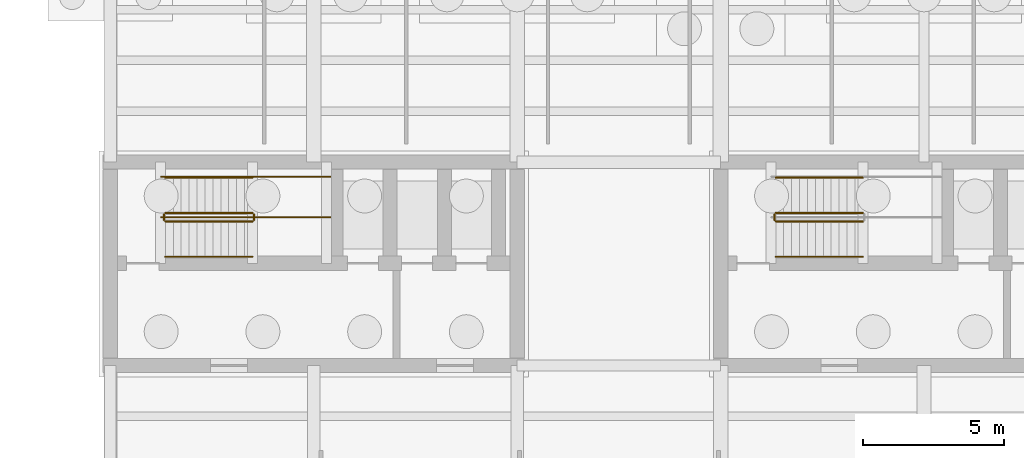
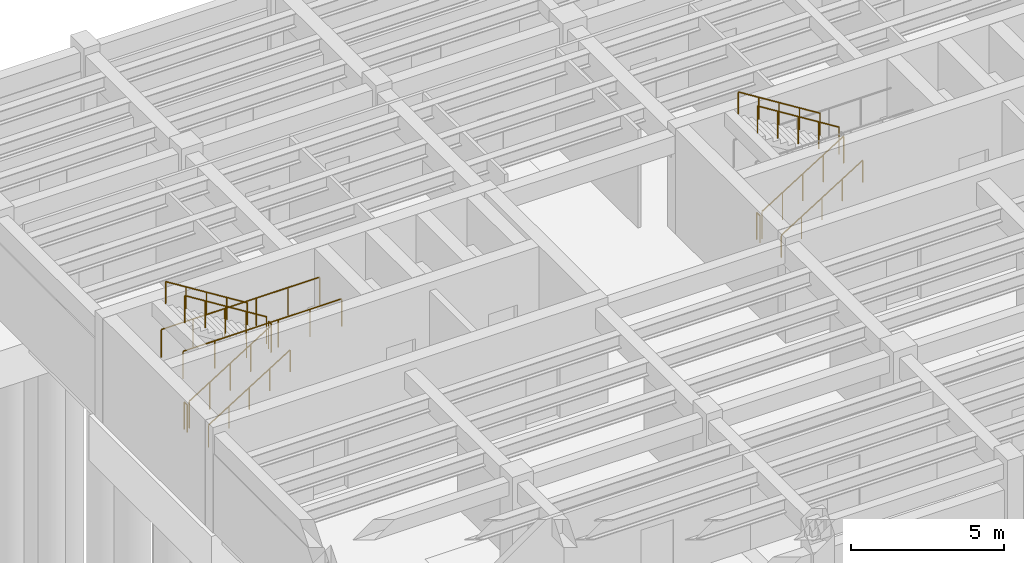
# One storey, part 19 of 22: 13 railings.
"""IFC4 building model written with IfcOpenShell, lengths in metres."""

from ifc_helpers import new_model, si_unit, direction, frame, origin, origin_2d, place, context, subcontext, project, spatial, circle, extrude, material, type_object, element, save


model = new_model("IFC4")

# Units and contexts
model_context = context("Model", 3, precision=1e-05, world=origin(), true_north=direction((0.0, 1.0)))
body_context = subcontext(model_context, "Body", "Model", "MODEL_VIEW")
ifc_project = project(units=[si_unit("LENGTHUNIT", "METRE"), si_unit("AREAUNIT", "SQUARE_METRE"), si_unit("VOLUMEUNIT", "CUBIC_METRE"), si_unit("PLANEANGLEUNIT", "RADIAN"), si_unit("MASSUNIT", "GRAM", prefix="KILO")], contexts=[model_context])

# Site, building, storey
site_placement = place(None, origin())
site = spatial("IfcSite", under=ifc_project, at=site_placement, CompositionType="ELEMENT")
building_placement = place(site_placement, origin())
building = spatial("IfcBuilding", under=site, at=building_placement, Name="Mithqara Police Headquarters", CompositionType="ELEMENT")
storey_placement = place(building_placement, frame((0.0, 0.0, -8.39990234375)))
storey = spatial("IfcBuildingStorey", under=building, at=storey_placement, Name="B2", CompositionType="ELEMENT", Elevation=-8.39990234375)

# Railings
ifc_material = material(Name="Steel S355JR", Category="steel")
railing_type_1 = type_object("IfcRailingType", Name="HANDRAIL 920", PredefinedType="HANDRAIL", material=ifc_material)
railing_1_placement = place(storey_placement, frame((110.550048828125, 96.85009765625, 0.1748046875)))
element("IfcRailing", 1, at=railing_1_placement, inside=storey, type_object=railing_type_1, Name="B2 ST-01 stair handrail 1", PredefinedType="HANDRAIL", context=body_context, shape_type="SweptSolid", body=[
    extrude(circle(Radius=0.02392578125, at=origin_2d()), frame((0.0, 0.0, 0.8759765625), z_axis=(0.847979421464, 0.0, 0.530029150871), x_axis=(0.0, 1.0, 0.0)), (0.0, 0.0, 1.0), 3.632080078125),
    extrude(circle(Radius=0.02099609375, at=origin_2d()), origin(), (0.0, 0.0, 1.0), 0.851806640625),
    extrude(circle(Radius=0.02099609375, at=origin_2d()), frame((0.77001953125, 0.0, 0.481201171875)), (0.0, 0.0, 1.0), 0.851806640625),
    extrude(circle(Radius=0.02099609375, at=origin_2d()), frame((1.5400390625, 0.0, 0.96240234375)), (0.0, 0.0, 1.0), 0.851806640625),
    extrude(circle(Radius=0.02099609375, at=origin_2d()), frame((2.309814453125, 0.0, 1.44384765625)), (0.0, 0.0, 1.0), 0.851806640625),
    extrude(circle(Radius=0.02099609375, at=origin_2d()), frame((3.079833984375, 0.0, 1.925048828125)), (0.0, 0.0, 1.0), 0.851806640625),
])
railing_2_placement = place(storey_placement, frame((113.6298828125, 99.64990234375, 2.27490234375)))
element("IfcRailing", 2, at=railing_2_placement, inside=storey, type_object=railing_type_1, Name="B2 ST-01 stair handrail 2", PredefinedType="HANDRAIL", context=body_context, shape_type="SweptSolid", body=[
    extrude(circle(Radius=0.02392578125, at=origin_2d()), frame((0.0, 0.0, 0.8759765625), z_axis=(-0.847979421464, 0.0, 0.530029150871), x_axis=(0.0, -1.0, 0.0)), (0.0, 0.0, 1.0), 3.632080078125),
    extrude(circle(Radius=0.02099609375, at=origin_2d()), origin(), (0.0, 0.0, 1.0), 0.851806640625),
    extrude(circle(Radius=0.02099609375, at=origin_2d()), frame((-0.77001953125, 0.0, 0.481201171875)), (0.0, 0.0, 1.0), 0.851806640625),
    extrude(circle(Radius=0.02099609375, at=origin_2d()), frame((-1.5400390625, 0.0, 0.96240234375)), (0.0, 0.0, 1.0), 0.851806640625),
    extrude(circle(Radius=0.02099609375, at=origin_2d()), frame((-2.309814453125, 0.0, 1.44384765625)), (0.0, 0.0, 1.0), 0.851806640625),
    extrude(circle(Radius=0.02099609375, at=origin_2d()), frame((-3.079833984375, 0.0, 1.925048828125)), (0.0, 0.0, 1.0), 0.851806640625),
])
railing_3_placement = place(storey_placement, frame((132.14990234375, 96.85009765625, 0.1748046875)))
element("IfcRailing", 3, at=railing_3_placement, inside=storey, type_object=railing_type_1, Name="B2 ST-02 stair handrail 1", PredefinedType="HANDRAIL", context=body_context, shape_type="SweptSolid", body=[
    extrude(circle(Radius=0.02392578125, at=origin_2d()), frame((0.0, 0.0, 0.8759765625), z_axis=(0.847998304005, 0.0, 0.529998940003), x_axis=(0.0, 1.0, 0.0)), (0.0, 0.0, 1.0), 3.632080078125),
    extrude(circle(Radius=0.02099609375, at=origin_2d()), origin(), (0.0, 0.0, 1.0), 0.851806640625),
    extrude(circle(Radius=0.02099609375, at=origin_2d()), frame((0.77001953125, 0.0, 0.481201171875)), (0.0, 0.0, 1.0), 0.851806640625),
    extrude(circle(Radius=0.02099609375, at=origin_2d()), frame((1.5400390625, 0.0, 0.96240234375)), (0.0, 0.0, 1.0), 0.851806640625),
    extrude(circle(Radius=0.02099609375, at=origin_2d()), frame((2.31005859375, 0.0, 1.44384765625)), (0.0, 0.0, 1.0), 0.851806640625),
    extrude(circle(Radius=0.02099609375, at=origin_2d()), frame((3.080078125, 0.0, 1.925048828125)), (0.0, 0.0, 1.0), 0.851806640625),
])
railing_4_placement = place(storey_placement, frame((135.22998046875, 99.64990234375, 2.27490234375)))
element("IfcRailing", 4, at=railing_4_placement, inside=storey, type_object=railing_type_1, Name="B2 ST-02 stair handrail 2", PredefinedType="HANDRAIL", context=body_context, shape_type="SweptSolid", body=[
    extrude(circle(Radius=0.02392578125, at=origin_2d()), frame((0.0, 0.0, 0.8759765625), z_axis=(-0.847998304005, 0.0, 0.529998940003), x_axis=(0.0, -1.0, 0.0)), (0.0, 0.0, 1.0), 3.632080078125),
    extrude(circle(Radius=0.02099609375, at=origin_2d()), origin(), (0.0, 0.0, 1.0), 0.851806640625),
    extrude(circle(Radius=0.02099609375, at=origin_2d()), frame((-0.77001953125, 0.0, 0.481201171875)), (0.0, 0.0, 1.0), 0.851806640625),
    extrude(circle(Radius=0.02099609375, at=origin_2d()), frame((-1.5400390625, 0.0, 0.96240234375)), (0.0, 0.0, 1.0), 0.851806640625),
    extrude(circle(Radius=0.02099609375, at=origin_2d()), frame((-2.31005859375, 0.0, 1.44384765625)), (0.0, 0.0, 1.0), 0.851806640625),
    extrude(circle(Radius=0.02099609375, at=origin_2d()), frame((-3.080078125, 0.0, 1.925048828125)), (0.0, 0.0, 1.0), 0.851806640625),
])
railing_type_2 = type_object("IfcRailingType", Name="STAIR GUARD 1120", PredefinedType="GUARDRAIL", material=ifc_material)
railing_5_placement = place(storey_placement, frame((110.550048828125, 98.10009765625, 0.1748046875)))
element("IfcRailing", 5, at=railing_5_placement, inside=storey, type_object=railing_type_2, Name="B2 ST-01 stair guard 1", PredefinedType="GUARDRAIL", context=body_context, shape_type="SweptSolid", body=[
    extrude(circle(Radius=0.02392578125, at=origin_2d()), frame((0.0, 0.0, 1.076171875), z_axis=(0.847979421464, 0.0, 0.530029150871), x_axis=(0.0, 1.0, 0.0)), (0.0, 0.0, 1.0), 3.632080078125),
    extrude(circle(Radius=0.02099609375, at=origin_2d()), origin(), (0.0, 0.0, 1.0), 1.052001953125),
    extrude(circle(Radius=0.02099609375, at=origin_2d()), frame((0.77001953125, 0.0, 0.481201171875)), (0.0, 0.0, 1.0), 1.052001953125),
    extrude(circle(Radius=0.02099609375, at=origin_2d()), frame((1.5400390625, 0.0, 0.96240234375)), (0.0, 0.0, 1.0), 1.052001953125),
    extrude(circle(Radius=0.02099609375, at=origin_2d()), frame((2.309814453125, 0.0, 1.44384765625)), (0.0, 0.0, 1.0), 1.052001953125),
    extrude(circle(Radius=0.02099609375, at=origin_2d()), frame((3.079833984375, 0.0, 1.925048828125)), (0.0, 0.0, 1.0), 1.052001953125),
])
railing_6_placement = place(storey_placement, frame((113.679931640625, 98.14990234375, 2.099853515625)))
element("IfcRailing", 6, at=railing_6_placement, inside=storey, type_object=railing_type_2, Name="B2 ST-01 stair guard 2", PredefinedType="GUARDRAIL", context=body_context, shape_type="SweptSolid", body=[
    extrude(circle(Radius=0.02392578125, at=origin_2d()), frame((0.0, 0.0, 1.076171875), z_axis=(0.0, 1.0, 0.0), x_axis=(-1.0, 0.0, 0.0)), (0.0, 0.0, 1.0), 0.2001953125),
    extrude(circle(Radius=0.02099609375, at=origin_2d()), origin(), (0.0, 0.0, 1.0), 1.052001953125),
    extrude(circle(Radius=0.02099609375, at=origin_2d()), frame((0.0, 0.2001953125, 0.0)), (0.0, 0.0, 1.0), 1.052001953125),
])
railing_7_placement = place(storey_placement, frame((113.6298828125, 98.39990234375, 2.27490234375)))
element("IfcRailing", 7, at=railing_7_placement, inside=storey, type_object=railing_type_2, Name="B2 ST-01 stair guard 3", PredefinedType="GUARDRAIL", context=body_context, shape_type="SweptSolid", body=[
    extrude(circle(Radius=0.02392578125, at=origin_2d()), frame((0.0, 0.0, 1.076171875), z_axis=(-0.847979421464, 0.0, 0.530029150871), x_axis=(0.0, -1.0, 0.0)), (0.0, 0.0, 1.0), 3.632080078125),
    extrude(circle(Radius=0.02099609375, at=origin_2d()), origin(), (0.0, 0.0, 1.0), 1.052001953125),
    extrude(circle(Radius=0.02099609375, at=origin_2d()), frame((-0.77001953125, 0.0, 0.481201171875)), (0.0, 0.0, 1.0), 1.052001953125),
    extrude(circle(Radius=0.02099609375, at=origin_2d()), frame((-1.5400390625, 0.0, 0.96240234375)), (0.0, 0.0, 1.0), 1.052001953125),
    extrude(circle(Radius=0.02099609375, at=origin_2d()), frame((-2.309814453125, 0.0, 1.44384765625)), (0.0, 0.0, 1.0), 1.052001953125),
    extrude(circle(Radius=0.02099609375, at=origin_2d()), frame((-3.079833984375, 0.0, 1.925048828125)), (0.0, 0.0, 1.0), 1.052001953125),
])
railing_8_placement = place(storey_placement, frame((110.5, 98.14990234375, 0.0)))
element("IfcRailing", 8, at=railing_8_placement, inside=storey, type_object=railing_type_2, Name="B2 ST-01 stair guard 4", PredefinedType="GUARDRAIL", context=body_context, shape_type="SweptSolid", body=[
    extrude(circle(Radius=0.02392578125, at=origin_2d()), frame((0.0, 0.0, 1.076171875), z_axis=(0.0, 1.0, 0.0), x_axis=(-1.0, 0.0, 0.0)), (0.0, 0.0, 1.0), 0.2001953125),
    extrude(circle(Radius=0.02099609375, at=origin_2d()), origin(), (0.0, 0.0, 1.0), 1.052001953125),
    extrude(circle(Radius=0.02099609375, at=origin_2d()), frame((0.0, 0.2001953125, 0.0)), (0.0, 0.0, 1.0), 1.052001953125),
])
for number, where, name in (
    (9, (110.39990234375, 98.25, 2.099853515625), "B2 ST-01 Half-Landing Guard IN"),
    (10, (110.39990234375, 99.679931640625, 2.099853515625), "B2 ST-01 Half-Landing Guard OUT"),
):
    element("IfcRailing", number, at=place(storey_placement, frame(where)), inside=storey, type_object=railing_type_2, Name=name, PredefinedType="GUARDRAIL", context=body_context, shape_type="SweptSolid", body=[
        extrude(circle(Radius=0.02392578125, at=origin_2d()), frame((0.0, 0.0, 1.09619140625), z_axis=(1.0, 0.0, 0.0), x_axis=(0.0, 1.0, 0.0)), (0.0, 0.0, 1.0), 5.97998046875),
        extrude(circle(Radius=0.02099609375, at=origin_2d()), origin(), (0.0, 0.0, 1.0), 1.072021484375),
        extrude(circle(Radius=0.02099609375, at=origin_2d()), frame((1.196044921875, 0.0, 0.0)), (0.0, 0.0, 1.0), 1.072021484375),
        extrude(circle(Radius=0.02099609375, at=origin_2d()), frame((2.39208984375, 0.0, 0.0)), (0.0, 0.0, 1.0), 1.072021484375),
        extrude(circle(Radius=0.02099609375, at=origin_2d()), frame((3.587890625, 0.0, 0.0)), (0.0, 0.0, 1.0), 1.072021484375),
        extrude(circle(Radius=0.02099609375, at=origin_2d()), frame((4.783935546875, 0.0, 0.0)), (0.0, 0.0, 1.0), 1.072021484375),
        extrude(circle(Radius=0.02099609375, at=origin_2d()), frame((5.97998046875, 0.0, 0.0)), (0.0, 0.0, 1.0), 1.072021484375),
    ])
railing_9_placement = place(storey_placement, frame((132.14990234375, 98.10009765625, 0.1748046875)))
element("IfcRailing", 11, at=railing_9_placement, inside=storey, type_object=railing_type_2, Name="B2 ST-02 stair guard 1", PredefinedType="GUARDRAIL", context=body_context, shape_type="SweptSolid", body=[
    extrude(circle(Radius=0.02392578125, at=origin_2d()), frame((0.0, 0.0, 1.076171875), z_axis=(0.847998304005, 0.0, 0.529998940003), x_axis=(0.0, 1.0, 0.0)), (0.0, 0.0, 1.0), 3.632080078125),
    extrude(circle(Radius=0.02099609375, at=origin_2d()), origin(), (0.0, 0.0, 1.0), 1.052001953125),
    extrude(circle(Radius=0.02099609375, at=origin_2d()), frame((0.77001953125, 0.0, 0.481201171875)), (0.0, 0.0, 1.0), 1.052001953125),
    extrude(circle(Radius=0.02099609375, at=origin_2d()), frame((1.5400390625, 0.0, 0.96240234375)), (0.0, 0.0, 1.0), 1.052001953125),
    extrude(circle(Radius=0.02099609375, at=origin_2d()), frame((2.31005859375, 0.0, 1.44384765625)), (0.0, 0.0, 1.0), 1.052001953125),
    extrude(circle(Radius=0.02099609375, at=origin_2d()), frame((3.080078125, 0.0, 1.925048828125)), (0.0, 0.0, 1.0), 1.052001953125),
])
railing_10_placement = place(storey_placement, frame((135.22998046875, 98.39990234375, 2.27490234375)))
element("IfcRailing", 12, at=railing_10_placement, inside=storey, type_object=railing_type_2, Name="B2 ST-02 stair guard 3", PredefinedType="GUARDRAIL", context=body_context, shape_type="SweptSolid", body=[
    extrude(circle(Radius=0.02392578125, at=origin_2d()), frame((0.0, 0.0, 1.076171875), z_axis=(-0.847998304005, 0.0, 0.529998940003), x_axis=(0.0, -1.0, 0.0)), (0.0, 0.0, 1.0), 3.632080078125),
    extrude(circle(Radius=0.02099609375, at=origin_2d()), origin(), (0.0, 0.0, 1.0), 1.052001953125),
    extrude(circle(Radius=0.02099609375, at=origin_2d()), frame((-0.77001953125, 0.0, 0.481201171875)), (0.0, 0.0, 1.0), 1.052001953125),
    extrude(circle(Radius=0.02099609375, at=origin_2d()), frame((-1.5400390625, 0.0, 0.96240234375)), (0.0, 0.0, 1.0), 1.052001953125),
    extrude(circle(Radius=0.02099609375, at=origin_2d()), frame((-2.31005859375, 0.0, 1.44384765625)), (0.0, 0.0, 1.0), 1.052001953125),
    extrude(circle(Radius=0.02099609375, at=origin_2d()), frame((-3.080078125, 0.0, 1.925048828125)), (0.0, 0.0, 1.0), 1.052001953125),
])
railing_11_placement = place(storey_placement, frame((132.10009765625, 98.14990234375, 0.0)))
element("IfcRailing", 13, at=railing_11_placement, inside=storey, type_object=railing_type_2, Name="B2 ST-02 stair guard 4", PredefinedType="GUARDRAIL", context=body_context, shape_type="SweptSolid", body=[
    extrude(circle(Radius=0.02392578125, at=origin_2d()), frame((0.0, 0.0, 1.076171875), z_axis=(0.0, 1.0, 0.0), x_axis=(-1.0, 0.0, 0.0)), (0.0, 0.0, 1.0), 0.2001953125),
    extrude(circle(Radius=0.02099609375, at=origin_2d()), origin(), (0.0, 0.0, 1.0), 1.052001953125),
    extrude(circle(Radius=0.02099609375, at=origin_2d()), frame((0.0, 0.2001953125, 0.0)), (0.0, 0.0, 1.0), 1.052001953125),
])

save(model, "model.ifc")
